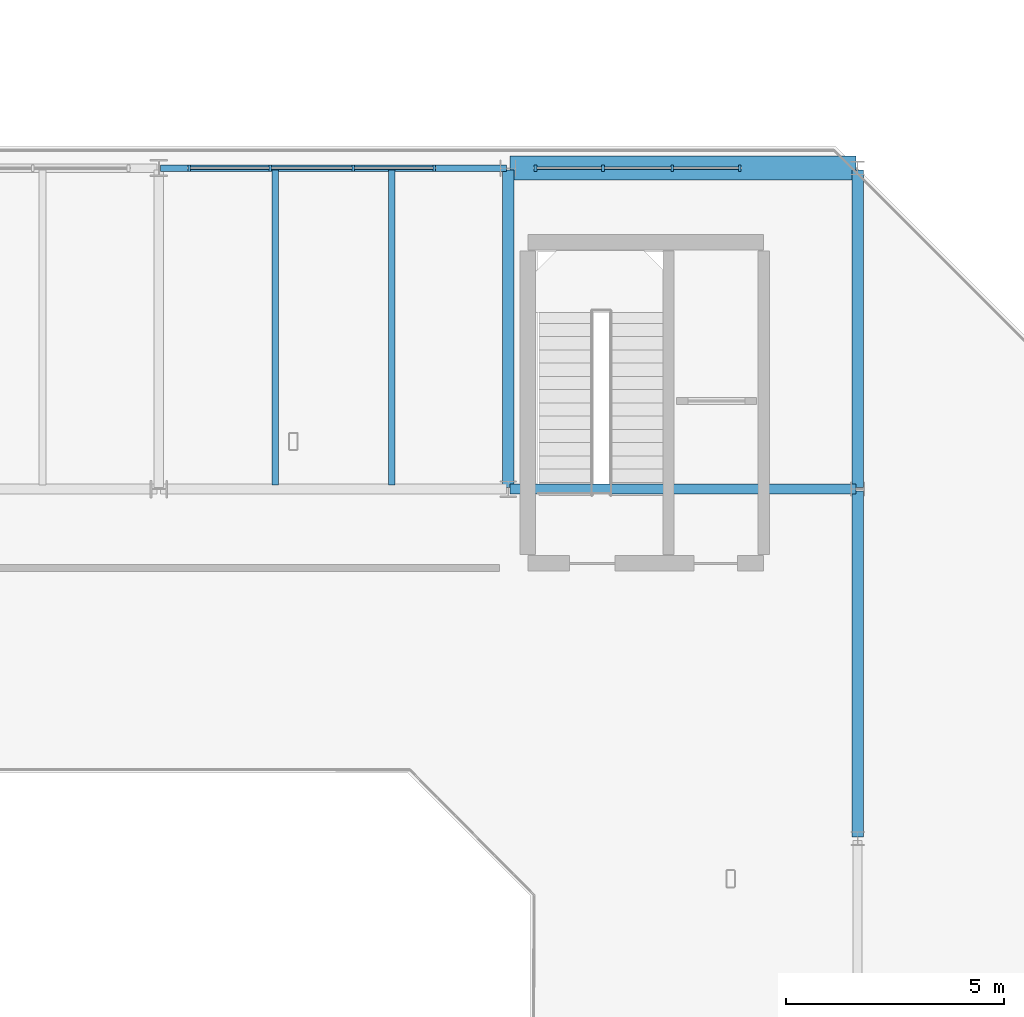
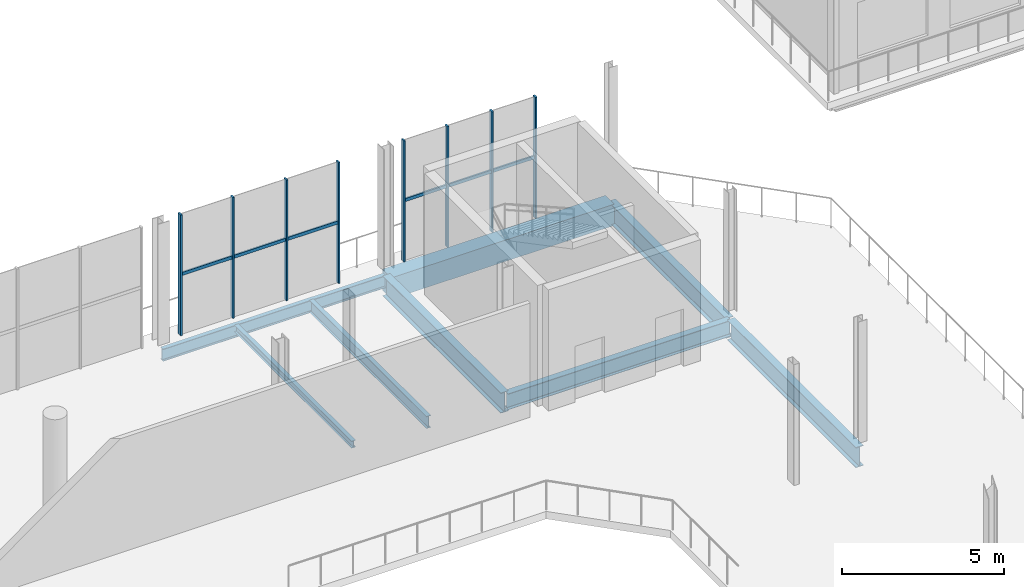
# One storey, part 22 of 51: 14 members, 8 beams, 2 elements without a shape of their own.
"""IFC4 building model written with IfcOpenShell, lengths in metres."""

from ifc_helpers import new_model, si_unit, direction, frame, origin, origin_2d, place, context, subcontext, project, spatial, rectangle, i_section, extrude, material, material_profile, profile_set, type_object, element, aggregate, save


model = new_model("IFC4")

# Units and contexts
model_context = context("Model", 3, precision=1e-05, world=origin(), true_north=direction((0.0, 1.0)))
body_context = subcontext(model_context, "Body", "Model", "MODEL_VIEW")
ifc_project = project(units=[si_unit("LENGTHUNIT", "METRE"), si_unit("AREAUNIT", "SQUARE_METRE"), si_unit("VOLUMEUNIT", "CUBIC_METRE"), si_unit("PLANEANGLEUNIT", "RADIAN"), si_unit("MASSUNIT", "GRAM", prefix="KILO")], contexts=[model_context])

# Site, building, storey
site_placement = place(None, origin())
site = spatial("IfcSite", under=ifc_project, at=site_placement, CompositionType="ELEMENT")
building_placement = place(site_placement, origin())
building = spatial("IfcBuilding", under=site, at=building_placement, Name="Brisemont Oceanarium", CompositionType="ELEMENT")
storey_placement = place(building_placement, frame((0.0, 0.0, 15.0)))
storey = spatial("IfcBuildingStorey", under=building, at=storey_placement, Name="L03", CompositionType="ELEMENT", Elevation=15.0)

# Beams
ifc_material_1 = material(Name="Concrete C40/50", Category="concrete")
ifc_material_profile_1 = material_profile(ifc_material_1, rectangle(XDim=0.550048828125, YDim=0.800048828125, at=origin_2d()), Name="RC-BM-550X800")
ifc_profile_set_1 = profile_set([ifc_material_profile_1], Name="Concrete C40/50")
beam_type_1 = type_object("IfcBeamType", Name="BM-RC550X800", PredefinedType="SPANDREL", material=ifc_profile_set_1)
beam_1_placement = place(storey_placement, frame((96.0400390625, 79.35009765625, -0.679931640625), z_axis=(1.0, 0.0, 0.0), x_axis=(0.0, 1.0, 0.0)))
element("IfcBeam", 1, at=beam_1_placement, inside=storey, type_object=beam_type_1, Name="V1 L03 EW girder", PredefinedType="SPANDREL", context=body_context, shape_type="SweptSolid", body=[
    extrude(rectangle(XDim=0.550048828125, YDim=0.800048828125, at=origin_2d()), origin(), (0.0, 0.0, 1.0), 7.919921875),
])
ifc_material_2 = material(Name="Structural Steel ASTM A992 Gr.50", Category="steel")
ifc_material_profile_2 = material_profile(ifc_material_2, i_section(OverallWidth=0.14599609375, OverallDepth=0.259033203125, WebThickness=0.006103515625, FlangeThickness=0.009033203125, FilletRadius=0.008056640625, at=origin_2d()), Name="W10X22")
ifc_profile_set_2 = profile_set([ifc_material_profile_2], Name="Structural Steel ASTM A992 Gr.50")
beam_type_2 = type_object("IfcBeamType", Name="BM-W10X22", PredefinedType="LINTEL", material=ifc_profile_set_2)
beam_2_placement = place(storey_placement, frame((90.666748046875, 72.090087890625, -0.409423828125), z_axis=(0.0, 1.0, 0.0), x_axis=(-1.0, 0.0, 0.0)))
element("IfcBeam", 2, at=beam_2_placement, inside=storey, type_object=beam_type_2, Name="V1 L03 secondary floor beam", PredefinedType="LINTEL", context=body_context, shape_type="SweptSolid", body=[
    extrude(i_section(OverallWidth=0.14599609375, OverallDepth=0.259033203125, WebThickness=0.006103515625, FlangeThickness=0.009033203125, FilletRadius=0.008056640625, at=origin_2d()), origin(), (0.0, 0.0, 1.0), 7.219970703125),
])
ifc_material_3 = material(Name="Structural Steel ASTM A992 Gr.50", Category="steel")
ifc_material_profile_3 = material_profile(ifc_material_3, i_section(OverallWidth=0.153076171875, OverallDepth=0.455078125, WebThickness=0.008056640625, FlangeThickness=0.01318359375, FilletRadius=0.010986328125, at=origin_2d()), Name="W18X40")
ifc_profile_set_3 = profile_set([ifc_material_profile_3], Name="Structural Steel ASTM A992 Gr.50")
beam_type_3 = type_object("IfcBeamType", Name="BM-W18X40", PredefinedType="JOIST", material=ifc_profile_set_3)
beam_3_placement = place(storey_placement, frame((93.333251953125, 72.090087890625, -0.507568359375), z_axis=(0.0, 1.0, 0.0), x_axis=(-1.0, 0.0, 0.0)))
element("IfcBeam", 3, at=beam_3_placement, inside=storey, type_object=beam_type_3, Name="V1 L03 secondary floor beam", PredefinedType="JOIST", context=body_context, shape_type="SweptSolid", body=[
    extrude(i_section(OverallWidth=0.153076171875, OverallDepth=0.455078125, WebThickness=0.008056640625, FlangeThickness=0.01318359375, FilletRadius=0.010986328125, at=origin_2d()), origin(), (0.0, 0.0, 1.0), 7.219970703125),
])
ifc_material_4 = material(Name="Structural Steel ASTM A992 Gr.50", Category="steel")
ifc_material_profile_4 = material_profile(ifc_material_4, i_section(OverallWidth=0.154052734375, OverallDepth=0.458984375, WebThickness=0.009033203125, FlangeThickness=0.015380859375, FilletRadius=0.010986328125, at=origin_2d()), Name="W18X46")
ifc_profile_set_4 = profile_set([ifc_material_profile_4], Name="Structural Steel ASTM A992 Gr.50")
beam_type_4 = type_object("IfcBeamType", Name="BM-W18X46", PredefinedType="SPANDREL", material=ifc_profile_set_4)
beam_4_placement = place(storey_placement, frame((88.0400390625, 79.35009765625, -0.509521484375), z_axis=(1.0, 0.0, 0.0), x_axis=(0.0, 1.0, 0.0)))
element("IfcBeam", 4, at=beam_4_placement, inside=storey, type_object=beam_type_4, Name="V1 L03 EW girder", PredefinedType="SPANDREL", context=body_context, shape_type="SweptSolid", body=[
    extrude(i_section(OverallWidth=0.154052734375, OverallDepth=0.458984375, WebThickness=0.009033203125, FlangeThickness=0.015380859375, FilletRadius=0.010986328125, at=origin_2d()), origin(), (0.0, 0.0, 1.0), 7.919921875),
])
ifc_material_5 = material(Name="Structural Steel ASTM A992 Gr.50", Category="steel")
ifc_material_profile_5 = material_profile(ifc_material_5, i_section(OverallWidth=0.22802734375, OverallDepth=0.60205078125, WebThickness=0.010498046875, FlangeThickness=0.014892578125, FilletRadius=0.012939453125, at=origin_2d()), Name="W24X68")
ifc_profile_set_5 = profile_set([ifc_material_profile_5], Name="Structural Steel ASTM A992 Gr.50")
beam_type_5 = type_object("IfcBeamType", Name="BM-W24X68", PredefinedType="BEAM", material=ifc_profile_set_5)
beam_5_placement = place(storey_placement, frame((96.0400390625, 72.0, -0.5810546875), z_axis=(1.0, 0.0, 0.0), x_axis=(0.0, 1.0, 0.0)))
element("IfcBeam", 5, at=beam_5_placement, inside=storey, type_object=beam_type_5, Name="V1 L03 EW girder", PredefinedType="BEAM", context=body_context, shape_type="SweptSolid", body=[
    extrude(i_section(OverallWidth=0.22802734375, OverallDepth=0.60205078125, WebThickness=0.010498046875, FlangeThickness=0.014892578125, FilletRadius=0.012939453125, at=origin_2d()), origin(), (0.0, 0.0, 1.0), 7.919921875),
])
ifc_material_6 = material(Name="Structural Steel ASTM A992 Gr.50", Category="steel")
ifc_material_profile_6 = material_profile(ifc_material_6, i_section(OverallWidth=0.26708984375, OverallDepth=0.761962890625, WebThickness=0.014404296875, FlangeThickness=0.021484375, FilletRadius=0.01611328125, at=origin_2d()), Name="W30X116")
ifc_profile_set_6 = profile_set([ifc_material_profile_6], Name="Structural Steel ASTM A992 Gr.50")
beam_type_6 = type_object("IfcBeamType", Name="BM-W30X116", PredefinedType="BEAM", material=ifc_profile_set_6)
beam_6_placement = place(storey_placement, frame((96.0, 72.0400390625, -0.660888671875), z_axis=(0.0, 1.0, 0.0), x_axis=(-1.0, 0.0, 0.0)))
element("IfcBeam", 6, at=beam_6_placement, inside=storey, type_object=beam_type_6, Name="V1 L03 NS girder", PredefinedType="BEAM", context=body_context, shape_type="SweptSolid", body=[
    extrude(i_section(OverallWidth=0.26708984375, OverallDepth=0.761962890625, WebThickness=0.014404296875, FlangeThickness=0.021484375, FilletRadius=0.01611328125, at=origin_2d()), origin(), (0.0, 0.0, 1.0), 7.27001953125),
])
beam_7_placement = place(storey_placement, frame((104.0, 64.0400390625, -0.660888671875), z_axis=(0.0, 1.0, 0.0), x_axis=(-1.0, 0.0, 0.0)))
element("IfcBeam", 7, at=beam_7_placement, inside=storey, type_object=beam_type_6, Name="V1 L03 NS girder", PredefinedType="BEAM", context=body_context, shape_type="SweptSolid", body=[
    extrude(i_section(OverallWidth=0.26708984375, OverallDepth=0.761962890625, WebThickness=0.014404296875, FlangeThickness=0.021484375, FilletRadius=0.01611328125, at=origin_2d()), origin(), (0.0, 0.0, 1.0), 7.919921875),
])
ifc_material_7 = material(Name="Structural Steel ASTM A992 Gr.50", Category="steel")
ifc_material_profile_7 = material_profile(ifc_material_7, i_section(OverallWidth=0.264892578125, OverallDepth=0.7529296875, WebThickness=0.01318359375, FlangeThickness=0.01708984375, FilletRadius=0.01611328125, at=origin_2d()), Name="W30X99")
ifc_profile_set_7 = profile_set([ifc_material_profile_7], Name="Structural Steel ASTM A992 Gr.50")
beam_type_7 = type_object("IfcBeamType", Name="BM-W30X99", PredefinedType="BEAM", material=ifc_profile_set_7)
beam_8_placement = place(storey_placement, frame((104.0, 72.0400390625, -0.656494140625), z_axis=(0.0, 1.0, 0.0), x_axis=(-1.0, 0.0, 0.0)))
element("IfcBeam", 8, at=beam_8_placement, inside=storey, type_object=beam_type_7, Name="V1 L03 NS girder", PredefinedType="BEAM", context=body_context, shape_type="SweptSolid", body=[
    extrude(i_section(OverallWidth=0.264892578125, OverallDepth=0.7529296875, WebThickness=0.01318359375, FlangeThickness=0.01708984375, FilletRadius=0.01611328125, at=origin_2d()), origin(), (0.0, 0.0, 1.0), 7.27001953125),
])

# Curtain wall, members
ifc_material_8 = material(Name="Anodized Extruded Aluminum 6063-T6", Category="aluminium")
curtain_wall_type = type_object("IfcCurtainWallType", Name="CW-CLR-58X36", PredefinedType="NOTDEFINED", material=ifc_material_8)
curtain_wall_1_placement = place(storey_placement, origin())
curtain_wall_1 = element("IfcCurtainWall", 9, at=curtain_wall_1_placement, inside=storey, type_object=curtain_wall_type, Name="CW-21 curtain wall CW-V1-N-L03-04", PredefinedType="NOTDEFINED")
ifc_material_9 = material(Name="Anodized Extruded Aluminum 6063-T6", Category="aluminium")
ifc_material_profile_8 = material_profile(ifc_material_9, rectangle(XDim=0.06005859375, YDim=0.14990234375, at=origin_2d()), Name="CWM-60X150")
ifc_profile_set_8 = profile_set([ifc_material_profile_8], Name="Anodized Extruded Aluminum 6063-T6")
member_type_1 = type_object("IfcMemberType", Name="MEM-CWM-60", PredefinedType="MULLION", material=ifc_profile_set_8)
member_1_placement = place(storey_placement, frame((88.695068359375, 79.35009765625, 0.0), z_axis=(0.0, 0.0, 1.0), x_axis=(1.0, 0.0, 0.0)))
member_1 = element("IfcMember", 10, at=member_1_placement, type_object=member_type_1, Name="CW-V1-N-L03-04 mullion 1", PredefinedType="MULLION", context=body_context, shape_type="SweptSolid", body=[
    extrude(rectangle(XDim=0.06005859375, YDim=0.14990234375, at=origin_2d()), origin(), (0.0, 0.0, 1.0), 4.5400390625),
])
member_2_placement = place(storey_placement, frame((90.550048828125, 79.35009765625, 0.0), z_axis=(0.0, 0.0, 1.0), x_axis=(1.0, 0.0, 0.0)))
member_2 = element("IfcMember", 11, at=member_2_placement, type_object=member_type_1, Name="CW-V1-N-L03-04 mullion 2", PredefinedType="MULLION", context=body_context, shape_type="SweptSolid", body=[
    extrude(rectangle(XDim=0.06005859375, YDim=0.14990234375, at=origin_2d()), origin(), (0.0, 0.0, 1.0), 4.5400390625),
])
member_3_placement = place(storey_placement, frame((92.449951171875, 79.35009765625, 0.0), z_axis=(0.0, 0.0, 1.0), x_axis=(1.0, 0.0, 0.0)))
member_3 = element("IfcMember", 12, at=member_3_placement, type_object=member_type_1, Name="CW-V1-N-L03-04 mullion 3", PredefinedType="MULLION", context=body_context, shape_type="SweptSolid", body=[
    extrude(rectangle(XDim=0.06005859375, YDim=0.14990234375, at=origin_2d()), origin(), (0.0, 0.0, 1.0), 4.5400390625),
])
member_4_placement = place(storey_placement, frame((94.304931640625, 79.35009765625, 0.0), z_axis=(0.0, 0.0, 1.0), x_axis=(1.0, 0.0, 0.0)))
member_4 = element("IfcMember", 13, at=member_4_placement, type_object=member_type_1, Name="CW-V1-N-L03-04 mullion 4", PredefinedType="MULLION", context=body_context, shape_type="SweptSolid", body=[
    extrude(rectangle(XDim=0.06005859375, YDim=0.14990234375, at=origin_2d()), origin(), (0.0, 0.0, 1.0), 4.5400390625),
])

curtain_wall_2_placement = place(storey_placement, origin())
curtain_wall_2 = element("IfcCurtainWall", 14, at=curtain_wall_2_placement, inside=storey, type_object=curtain_wall_type, Name="CW-21 curtain wall CW-V1-N-L03-05", PredefinedType="NOTDEFINED")
member_5_placement = place(storey_placement, frame((96.625, 79.35009765625, 0.0), z_axis=(0.0, 0.0, 1.0), x_axis=(1.0, 0.0, 0.0)))
member_5 = element("IfcMember", 15, at=member_5_placement, type_object=member_type_1, Name="CW-V1-N-L03-05 mullion 1", PredefinedType="MULLION", context=body_context, shape_type="SweptSolid", body=[
    extrude(rectangle(XDim=0.06005859375, YDim=0.14990234375, at=origin_2d()), origin(), (0.0, 0.0, 1.0), 4.5400390625),
])
member_6_placement = place(storey_placement, frame((98.169921875, 79.35009765625, 0.0), z_axis=(0.0, 0.0, 1.0), x_axis=(1.0, 0.0, 0.0)))
member_6 = element("IfcMember", 16, at=member_6_placement, type_object=member_type_1, Name="CW-V1-N-L03-05 mullion 2", PredefinedType="MULLION", context=body_context, shape_type="SweptSolid", body=[
    extrude(rectangle(XDim=0.06005859375, YDim=0.14990234375, at=origin_2d()), origin(), (0.0, 0.0, 1.0), 4.5400390625),
])
member_7_placement = place(storey_placement, frame((99.760009765625, 79.35009765625, 0.0), z_axis=(0.0, 0.0, 1.0), x_axis=(1.0, 0.0, 0.0)))
member_7 = element("IfcMember", 17, at=member_7_placement, type_object=member_type_1, Name="CW-V1-N-L03-05 mullion 3", PredefinedType="MULLION", context=body_context, shape_type="SweptSolid", body=[
    extrude(rectangle(XDim=0.06005859375, YDim=0.14990234375, at=origin_2d()), origin(), (0.0, 0.0, 1.0), 4.5400390625),
])
member_8_placement = place(storey_placement, frame((101.304931640625, 79.35009765625, 0.0), z_axis=(0.0, 0.0, 1.0), x_axis=(1.0, 0.0, 0.0)))
member_8 = element("IfcMember", 18, at=member_8_placement, type_object=member_type_1, Name="CW-V1-N-L03-05 mullion 4", PredefinedType="MULLION", context=body_context, shape_type="SweptSolid", body=[
    extrude(rectangle(XDim=0.06005859375, YDim=0.14990234375, at=origin_2d()), origin(), (0.0, 0.0, 1.0), 4.5400390625),
])

# Member
ifc_material_10 = material(Name="Anodized Extruded Aluminum 6063-T6", Category="aluminium")
ifc_material_profile_9 = material_profile(ifc_material_10, rectangle(XDim=0.06005859375, YDim=0.1201171875, at=origin_2d()), Name="CWT-60X120")
ifc_profile_set_9 = profile_set([ifc_material_profile_9], Name="Anodized Extruded Aluminum 6063-T6")
member_type_2 = type_object("IfcMemberType", Name="MEM-CWT-60", PredefinedType="USERDEFINED", material=ifc_profile_set_9)
member_9_placement = place(storey_placement, frame((88.6650390625, 79.35009765625, 2.27001953125), z_axis=(1.0, 0.0, 0.0), x_axis=(0.0, 1.0, 0.0)))
member_9 = element("IfcMember", 19, at=member_9_placement, type_object=member_type_2, Name="CW-V1-N-L03-04 transom 1.1", ObjectType="TRANSOM", PredefinedType="USERDEFINED", context=body_context, shape_type="SweptSolid", body=[
    extrude(rectangle(XDim=0.06005859375, YDim=0.1201171875, at=origin_2d()), origin(), (0.0, 0.0, 1.0), 1.869873046875),
])

member_10_placement = place(storey_placement, frame((90.56494140625, 79.35009765625, 2.27001953125), z_axis=(1.0, 0.0, 0.0), x_axis=(0.0, 1.0, 0.0)))
member_10 = element("IfcMember", 20, at=member_10_placement, type_object=member_type_2, Name="CW-V1-N-L03-04 transom 2.1", ObjectType="TRANSOM", PredefinedType="USERDEFINED", context=body_context, shape_type="SweptSolid", body=[
    extrude(rectangle(XDim=0.06005859375, YDim=0.1201171875, at=origin_2d()), origin(), (0.0, 0.0, 1.0), 1.8701171875),
])

member_11_placement = place(storey_placement, frame((92.465087890625, 79.35009765625, 2.27001953125), z_axis=(1.0, 0.0, 0.0), x_axis=(0.0, 1.0, 0.0)))
member_11 = element("IfcMember", 21, at=member_11_placement, type_object=member_type_2, Name="CW-V1-N-L03-04 transom 3.1", ObjectType="TRANSOM", PredefinedType="USERDEFINED", context=body_context, shape_type="SweptSolid", body=[
    extrude(rectangle(XDim=0.06005859375, YDim=0.1201171875, at=origin_2d()), origin(), (0.0, 0.0, 1.0), 1.869873046875),
])

aggregate(curtain_wall_1, [member_1, member_2, member_3, member_4, member_9, member_10, member_11])

member_12_placement = place(storey_placement, frame((96.594970703125, 79.35009765625, 2.27001953125), z_axis=(1.0, 0.0, 0.0), x_axis=(0.0, 1.0, 0.0)))
member_12 = element("IfcMember", 22, at=member_12_placement, type_object=member_type_2, Name="CW-V1-N-L03-05 transom 1.1", ObjectType="TRANSOM", PredefinedType="USERDEFINED", context=body_context, shape_type="SweptSolid", body=[
    extrude(rectangle(XDim=0.06005859375, YDim=0.1201171875, at=origin_2d()), origin(), (0.0, 0.0, 1.0), 1.56005859375),
])

member_13_placement = place(storey_placement, frame((98.18505859375, 79.35009765625, 2.27001953125), z_axis=(1.0, 0.0, 0.0), x_axis=(0.0, 1.0, 0.0)))
member_13 = element("IfcMember", 23, at=member_13_placement, type_object=member_type_2, Name="CW-V1-N-L03-05 transom 2.1", ObjectType="TRANSOM", PredefinedType="USERDEFINED", context=body_context, shape_type="SweptSolid", body=[
    extrude(rectangle(XDim=0.06005859375, YDim=0.1201171875, at=origin_2d()), origin(), (0.0, 0.0, 1.0), 1.56005859375),
])

member_14_placement = place(storey_placement, frame((99.77490234375, 79.35009765625, 2.27001953125), z_axis=(1.0, 0.0, 0.0), x_axis=(0.0, 1.0, 0.0)))
member_14 = element("IfcMember", 24, at=member_14_placement, type_object=member_type_2, Name="CW-V1-N-L03-05 transom 3.1", ObjectType="TRANSOM", PredefinedType="USERDEFINED", context=body_context, shape_type="SweptSolid", body=[
    extrude(rectangle(XDim=0.06005859375, YDim=0.1201171875, at=origin_2d()), origin(), (0.0, 0.0, 1.0), 1.56005859375),
])

aggregate(curtain_wall_2, [member_5, member_6, member_7, member_8, member_12, member_13, member_14])

save(model, "model.ifc")
